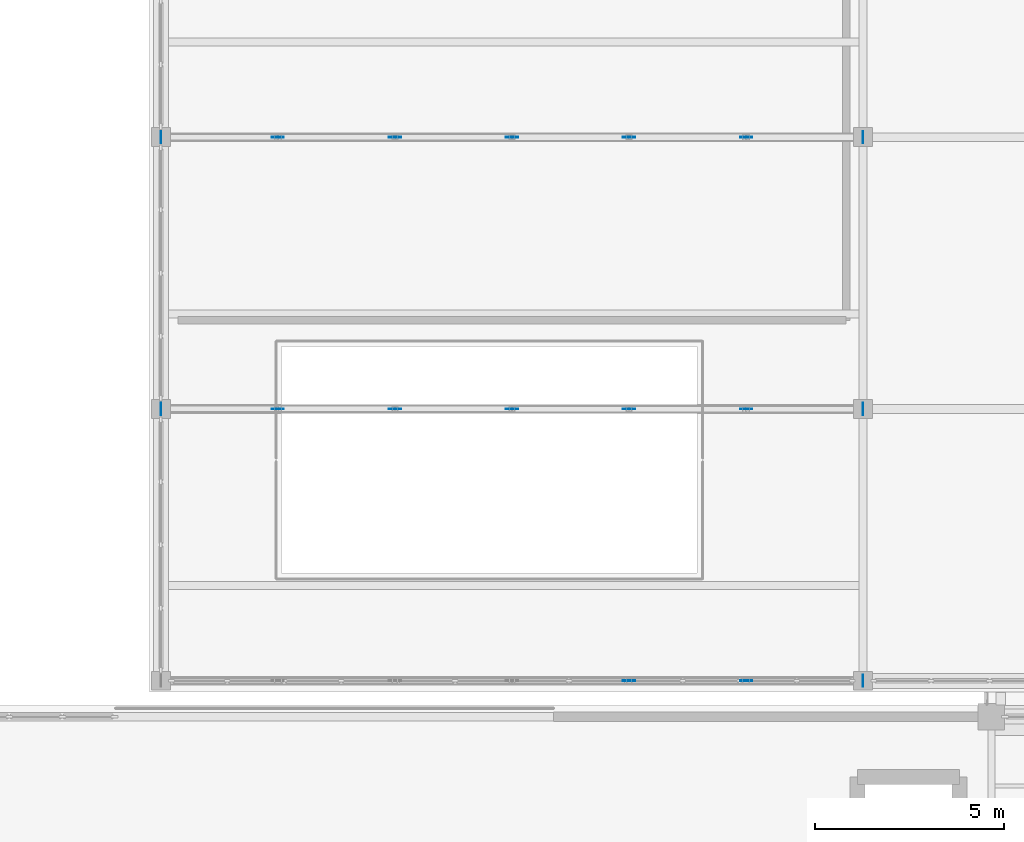
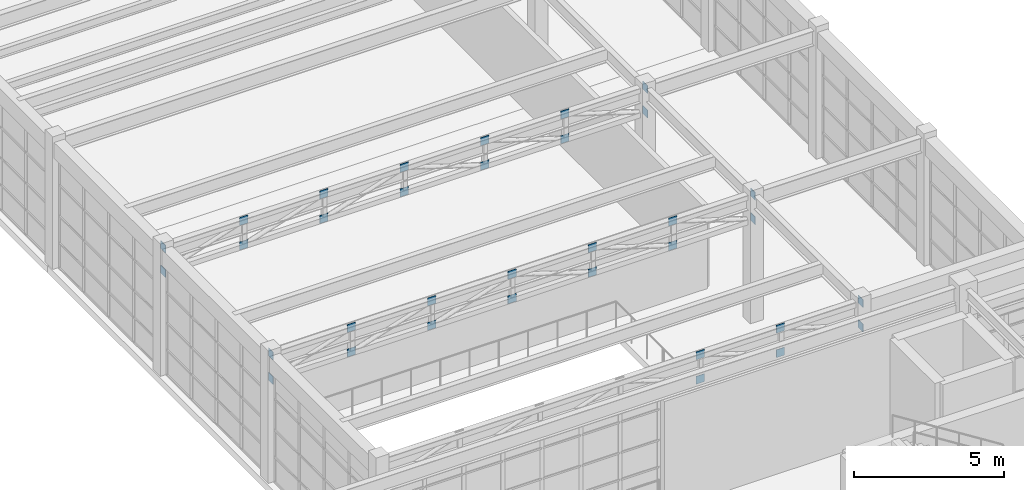
# One storey, part 88 of 103: 34 plates.
"""IFC4 building model written with IfcOpenShell, lengths in metres."""

from ifc_helpers import new_model, si_unit, direction, frame, origin, origin_2d, place, context, subcontext, project, spatial, rectangle, extrude, material, layer, layer_set, type_object, element, save


model = new_model("IFC4")

# Units and contexts
model_context = context("Model", 3, precision=1e-05, world=origin(), true_north=direction((0.0, 1.0)))
body_context = subcontext(model_context, "Body", "Model", "MODEL_VIEW")
ifc_project = project(units=[si_unit("LENGTHUNIT", "METRE"), si_unit("AREAUNIT", "SQUARE_METRE"), si_unit("VOLUMEUNIT", "CUBIC_METRE"), si_unit("PLANEANGLEUNIT", "RADIAN"), si_unit("MASSUNIT", "GRAM", prefix="KILO")], contexts=[model_context])

# Site, building, storey
site_placement = place(None, origin())
site = spatial("IfcSite", under=ifc_project, at=site_placement, CompositionType="ELEMENT")
building_placement = place(site_placement, origin())
building = spatial("IfcBuilding", under=site, at=building_placement, Name="Candilejo Ridge Gondola Terminal", CompositionType="ELEMENT")
storey_placement = place(building_placement, frame((0.0, 0.0, 9.0)))
storey = spatial("IfcBuildingStorey", under=building, at=storey_placement, Name="L02", CompositionType="ELEMENT", Elevation=9.0)

# Plates
ifc_material = material(Name="Steel ASTM A572 Grade 50", Category="steel")
ifc_layer = layer(ifc_material, 0.01806640625)
ifc_layer_set = layer_set([ifc_layer], Name="STR-NODE-PLATE-320X320X18")
plate_type = type_object("IfcPlateType", Name="STR-NODE-PLATE-320X320X18", PredefinedType="USERDEFINED", material=ifc_layer_set)
for number, where, z_axis, x_axis, name in (
    (1, (162.39990234375, 48.64990234375, 3.89013671875), (0.0, 0.0, 1.0), (1.0, 0.0, 0.0), "Truss node gusset plate 180"),
    (2, (162.39990234375, 48.64990234375, 4.89013671875), (0.0, 0.0, 1.0), (1.0, 0.0, 0.0), "Truss node gusset plate 181"),
    (3, (165.5, 48.64990234375, 3.89013671875), (0.0, 0.0, 1.0), (1.0, 0.0, 0.0), "Truss node gusset plate 182"),
    (4, (165.5, 48.64990234375, 4.89013671875), (0.0, 0.0, 1.0), (1.0, 0.0, 0.0), "Truss node gusset plate 183"),
):
    element("IfcPlate", number, at=place(storey_placement, frame(where, z_axis=z_axis, x_axis=x_axis)), inside=storey, type_object=plate_type, Name=name, ObjectType="NODE PLATE", PredefinedType="USERDEFINED", context=body_context, shape_type="SweptSolid", body=[
        extrude(rectangle(XDim=0.320068359375, YDim=0.01806640625, at=origin_2d()), origin(), (0.0, 0.0, 1.0), 0.320068359375),
    ])
for number, where, z_axis, x_axis, name in (
    (5, (168.60009765625, 48.64990234375, 3.89013671875), (0.0, 0.0, 1.0), (1.0, 0.0, 0.0), "Truss node gusset plate 184"),
    (6, (168.60009765625, 48.64990234375, 4.89013671875), (0.0, 0.0, 1.0), (1.0, 0.0, 0.0), "Truss node gusset plate 185"),
    (7, (150.0, 55.85009765625, 3.89013671875), (0.0, 0.0, 1.0), (1.0, 0.0, 0.0), "Truss node gusset plate 186"),
    (8, (150.0, 55.85009765625, 4.89013671875), (0.0, 0.0, 1.0), (1.0, 0.0, 0.0), "Truss node gusset plate 187"),
):
    element("IfcPlate", number, at=place(storey_placement, frame(where, z_axis=z_axis, x_axis=x_axis)), inside=storey, type_object=plate_type, Name=name, ObjectType="NODE PLATE", PredefinedType="USERDEFINED", context=body_context, shape_type="SweptSolid", body=[
        extrude(rectangle(XDim=0.01806640625, YDim=0.320068359375, at=origin_2d()), origin(), (0.0, 0.0, 1.0), 0.320068359375),
    ])
for number, where, z_axis, x_axis, name in (
    (9, (153.10009765625, 55.85009765625, 3.89013671875), (0.0, 0.0, 1.0), (1.0, 0.0, 0.0), "Truss node gusset plate 188"),
    (10, (153.10009765625, 55.85009765625, 4.89013671875), (0.0, 0.0, 1.0), (1.0, 0.0, 0.0), "Truss node gusset plate 189"),
    (11, (156.199951171875, 55.85009765625, 3.89013671875), (0.0, 0.0, 1.0), (1.0, 0.0, 0.0), "Truss node gusset plate 190"),
    (12, (156.199951171875, 55.85009765625, 4.89013671875), (0.0, 0.0, 1.0), (1.0, 0.0, 0.0), "Truss node gusset plate 191"),
    (13, (159.300048828125, 55.85009765625, 3.89013671875), (0.0, 0.0, 1.0), (1.0, 0.0, 0.0), "Truss node gusset plate 192"),
    (14, (159.300048828125, 55.85009765625, 4.89013671875), (0.0, 0.0, 1.0), (1.0, 0.0, 0.0), "Truss node gusset plate 193"),
    (15, (162.39990234375, 55.85009765625, 3.89013671875), (0.0, 0.0, 1.0), (1.0, 0.0, 0.0), "Truss node gusset plate 194"),
    (16, (162.39990234375, 55.85009765625, 4.89013671875), (0.0, 0.0, 1.0), (1.0, 0.0, 0.0), "Truss node gusset plate 195"),
    (17, (165.5, 55.85009765625, 3.89013671875), (0.0, 0.0, 1.0), (1.0, 0.0, 0.0), "Truss node gusset plate 196"),
    (18, (165.5, 55.85009765625, 4.89013671875), (0.0, 0.0, 1.0), (1.0, 0.0, 0.0), "Truss node gusset plate 197"),
):
    element("IfcPlate", number, at=place(storey_placement, frame(where, z_axis=z_axis, x_axis=x_axis)), inside=storey, type_object=plate_type, Name=name, ObjectType="NODE PLATE", PredefinedType="USERDEFINED", context=body_context, shape_type="SweptSolid", body=[
        extrude(rectangle(XDim=0.320068359375, YDim=0.01806640625, at=origin_2d()), origin(), (0.0, 0.0, 1.0), 0.320068359375),
    ])
for number, where, z_axis, x_axis, name in (
    (19, (168.60009765625, 55.85009765625, 3.89013671875), (0.0, 0.0, 1.0), (1.0, 0.0, 0.0), "Truss node gusset plate 198"),
    (20, (168.60009765625, 55.85009765625, 4.89013671875), (0.0, 0.0, 1.0), (1.0, 0.0, 0.0), "Truss node gusset plate 199"),
    (21, (150.0, 63.050048828125, 3.89013671875), (0.0, 0.0, 1.0), (1.0, 0.0, 0.0), "Truss node gusset plate 200"),
    (22, (150.0, 63.050048828125, 4.89013671875), (0.0, 0.0, 1.0), (1.0, 0.0, 0.0), "Truss node gusset plate 201"),
):
    element("IfcPlate", number, at=place(storey_placement, frame(where, z_axis=z_axis, x_axis=x_axis)), inside=storey, type_object=plate_type, Name=name, ObjectType="NODE PLATE", PredefinedType="USERDEFINED", context=body_context, shape_type="SweptSolid", body=[
        extrude(rectangle(XDim=0.01806640625, YDim=0.320068359375, at=origin_2d()), origin(), (0.0, 0.0, 1.0), 0.320068359375),
    ])
for number, where, z_axis, x_axis, name in (
    (23, (153.10009765625, 63.050048828125, 3.89013671875), (0.0, 0.0, 1.0), (1.0, 0.0, 0.0), "Truss node gusset plate 202"),
    (24, (153.10009765625, 63.050048828125, 4.89013671875), (0.0, 0.0, 1.0), (1.0, 0.0, 0.0), "Truss node gusset plate 203"),
    (25, (156.199951171875, 63.050048828125, 3.89013671875), (0.0, 0.0, 1.0), (1.0, 0.0, 0.0), "Truss node gusset plate 204"),
    (26, (156.199951171875, 63.050048828125, 4.89013671875), (0.0, 0.0, 1.0), (1.0, 0.0, 0.0), "Truss node gusset plate 205"),
    (27, (159.300048828125, 63.050048828125, 3.89013671875), (0.0, 0.0, 1.0), (1.0, 0.0, 0.0), "Truss node gusset plate 206"),
    (28, (159.300048828125, 63.050048828125, 4.89013671875), (0.0, 0.0, 1.0), (1.0, 0.0, 0.0), "Truss node gusset plate 207"),
    (29, (162.39990234375, 63.050048828125, 3.89013671875), (0.0, 0.0, 1.0), (1.0, 0.0, 0.0), "Truss node gusset plate 208"),
    (30, (162.39990234375, 63.050048828125, 4.89013671875), (0.0, 0.0, 1.0), (1.0, 0.0, 0.0), "Truss node gusset plate 209"),
    (31, (165.5, 63.050048828125, 3.89013671875), (0.0, 0.0, 1.0), (1.0, 0.0, 0.0), "Truss node gusset plate 210"),
    (32, (165.5, 63.050048828125, 4.89013671875), (0.0, 0.0, 1.0), (1.0, 0.0, 0.0), "Truss node gusset plate 211"),
):
    element("IfcPlate", number, at=place(storey_placement, frame(where, z_axis=z_axis, x_axis=x_axis)), inside=storey, type_object=plate_type, Name=name, ObjectType="NODE PLATE", PredefinedType="USERDEFINED", context=body_context, shape_type="SweptSolid", body=[
        extrude(rectangle(XDim=0.320068359375, YDim=0.01806640625, at=origin_2d()), origin(), (0.0, 0.0, 1.0), 0.320068359375),
    ])
for number, where, z_axis, x_axis, name in (
    (33, (168.60009765625, 63.050048828125, 3.89013671875), (0.0, 0.0, 1.0), (1.0, 0.0, 0.0), "Truss node gusset plate 212"),
    (34, (168.60009765625, 63.050048828125, 4.89013671875), (0.0, 0.0, 1.0), (1.0, 0.0, 0.0), "Truss node gusset plate 213"),
):
    element("IfcPlate", number, at=place(storey_placement, frame(where, z_axis=z_axis, x_axis=x_axis)), inside=storey, type_object=plate_type, Name=name, ObjectType="NODE PLATE", PredefinedType="USERDEFINED", context=body_context, shape_type="SweptSolid", body=[
        extrude(rectangle(XDim=0.01806640625, YDim=0.320068359375, at=origin_2d()), origin(), (0.0, 0.0, 1.0), 0.320068359375),
    ])

save(model, "model.ifc")
